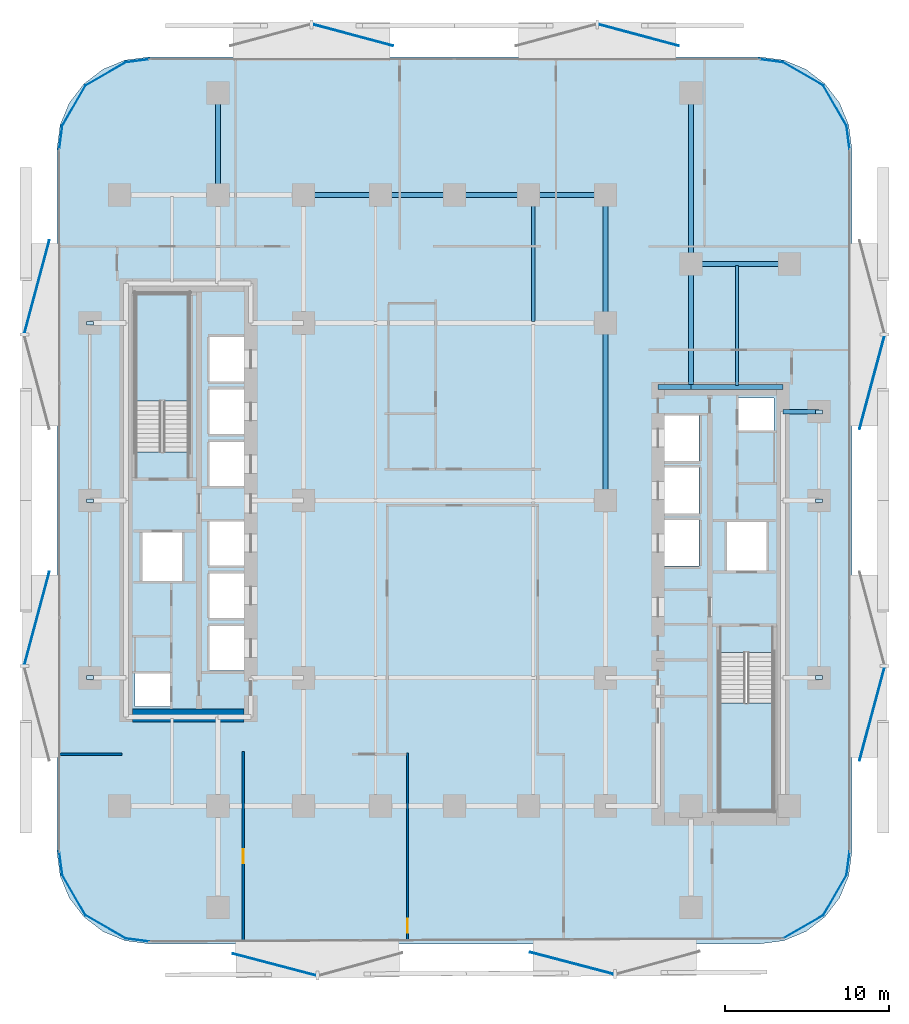
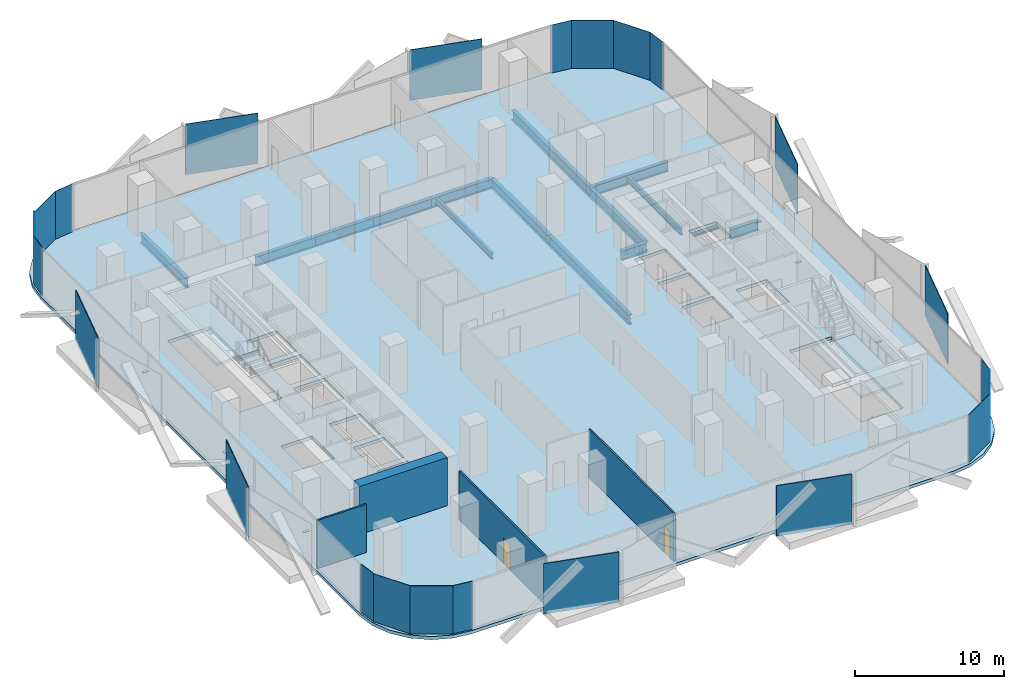
# One storey, part 2 of 15: 29 plates, 15 beams, 4 walls, 3 slabs, 2 doors, 2 openings, 2 elements without a shape of their own.
"""IFC4 building model written with IfcOpenShell, lengths in metres."""

from ifc_helpers import new_model, si_unit, direction, frame, frame_2d, origin, origin_2d, place, context, subcontext, project, spatial, polyline, rectangle, i_section, outline, extrude, material, layer, layer_set, material_profile, profile_set, type_object, element, fill, aggregate, save


model = new_model("IFC4")

# Units and contexts
model_context = context("Model", 3, precision=1e-05, world=origin(), true_north=direction((0.0, 1.0)))
body_context = subcontext(model_context, "Body", "Model", "MODEL_VIEW")
ifc_project = project(units=[si_unit("LENGTHUNIT", "METRE"), si_unit("AREAUNIT", "SQUARE_METRE"), si_unit("VOLUMEUNIT", "CUBIC_METRE"), si_unit("PLANEANGLEUNIT", "RADIAN"), si_unit("MASSUNIT", "GRAM", prefix="KILO")], contexts=[model_context])

# Site, building, storey
site_placement = place(None, origin())
site = spatial("IfcSite", under=ifc_project, at=site_placement, CompositionType="ELEMENT")
building_placement = place(site_placement, origin())
building = spatial("IfcBuilding", under=site, at=building_placement, Name="Khairoan Windgate Tower", CompositionType="ELEMENT")
storey_placement = place(building_placement, frame((0.0, 0.0, 76.39990234375)))
storey = spatial("IfcBuildingStorey", under=building, at=storey_placement, Name="L18", CompositionType="ELEMENT", Elevation=76.39990234375)

# Beams
ifc_material_1 = material(Name="Steel S355", Category="steel")
ifc_material_profile_1 = material_profile(ifc_material_1, i_section(OverallWidth=0.300048828125, OverallDepth=0.800048828125, WebThickness=0.013916015625, FlangeThickness=0.02587890625, FilletRadius=0.028076171875, at=origin_2d()))
ifc_profile_set_1 = profile_set([ifc_material_profile_1], Name="Steel S355")
beam_type_1 = type_object("IfcBeamType", Name="Beam B-G2 H800x300x14x26", PredefinedType="BEAM", material=ifc_profile_set_1)
beam_1_placement = place(storey_placement, frame((20.0, 5.39990234375, -0.659912109375), z_axis=(1.0, 0.0, 0.0), x_axis=(0.0, 1.0, 0.0)))
element("IfcBeam", 1, at=beam_1_placement, inside=storey, type_object=beam_type_1, Name="L18 E-W Primary Girder 19", PredefinedType="BEAM", context=body_context, shape_type="SweptSolid", body=[
    extrude(i_section(OverallWidth=0.300048828125, OverallDepth=0.800048828125, WebThickness=0.013916015625, FlangeThickness=0.02587890625, FilletRadius=0.028076171875, at=origin_2d()), origin(), (0.0, 0.0, 1.0), 2.199951171875),
])
beam_2_placement = place(storey_placement, frame((12.39990234375, 6.89990234375, -0.659912109375), z_axis=(1.0, 0.0, 0.0), x_axis=(0.0, 1.0, 0.0)))
element("IfcBeam", 2, at=beam_2_placement, inside=storey, type_object=beam_type_1, Name="L18 E-W Primary Girder 20", PredefinedType="BEAM", context=body_context, shape_type="SweptSolid", body=[
    extrude(i_section(OverallWidth=0.300048828125, OverallDepth=0.800048828125, WebThickness=0.013916015625, FlangeThickness=0.02587890625, FilletRadius=0.028076171875, at=origin_2d()), origin(), (0.0, 0.0, 1.0), 2.0),
])
beam_3_placement = place(storey_placement, frame((14.39990234375, 6.89990234375, -0.659912109375), z_axis=(1.0, 0.0, 0.0), x_axis=(0.0, 1.0, 0.0)))
element("IfcBeam", 3, at=beam_3_placement, inside=storey, type_object=beam_type_1, Name="L18 E-W Primary Girder 21", PredefinedType="BEAM", context=body_context, shape_type="SweptSolid", body=[
    extrude(i_section(OverallWidth=0.300048828125, OverallDepth=0.800048828125, WebThickness=0.013916015625, FlangeThickness=0.02587890625, FilletRadius=0.028076171875, at=origin_2d()), origin(), (0.0, 0.0, 1.0), 5.60009765625),
])
beam_4_placement = place(storey_placement, frame((14.39990234375, 14.39990234375, -0.659912109375), z_axis=(1.0, 0.0, 0.0), x_axis=(0.0, 1.0, 0.0)))
element("IfcBeam", 4, at=beam_4_placement, inside=storey, type_object=beam_type_1, Name="L18 E-W Primary Girder 27", PredefinedType="BEAM", context=body_context, shape_type="SweptSolid", body=[
    extrude(i_section(OverallWidth=0.300048828125, OverallDepth=0.800048828125, WebThickness=0.013916015625, FlangeThickness=0.02587890625, FilletRadius=0.028076171875, at=origin_2d()), origin(), (0.0, 0.0, 1.0), 6.0),
])
beam_5_placement = place(storey_placement, frame((-9.199951171875, 18.60009765625, -0.659912109375), z_axis=(1.0, 0.0, 0.0), x_axis=(0.0, 1.0, 0.0)))
element("IfcBeam", 5, at=beam_5_placement, inside=storey, type_object=beam_type_1, Name="L18 E-W Primary Girder 30", PredefinedType="BEAM", context=body_context, shape_type="SweptSolid", body=[
    extrude(i_section(OverallWidth=0.300048828125, OverallDepth=0.800048828125, WebThickness=0.013916015625, FlangeThickness=0.02587890625, FilletRadius=0.028076171875, at=origin_2d()), origin(), (0.0, 0.0, 1.0), 4.699951171875),
])
for number, where, z_axis, x_axis, name in (
    (6, (-4.5, 18.60009765625, -0.659912109375), (1.0, 0.0, 0.0), (0.0, 1.0, 0.0), "L18 E-W Primary Girder 31"),
    (7, (0.0, 18.60009765625, -0.659912109375), (1.0, 0.0, 0.0), (0.0, 1.0, 0.0), "L18 E-W Primary Girder 32"),
):
    element("IfcBeam", number, at=place(storey_placement, frame(where, z_axis=z_axis, x_axis=x_axis)), inside=storey, type_object=beam_type_1, Name=name, PredefinedType="BEAM", context=body_context, shape_type="SweptSolid", body=[
        extrude(i_section(OverallWidth=0.300048828125, OverallDepth=0.800048828125, WebThickness=0.013916015625, FlangeThickness=0.02587890625, FilletRadius=0.028076171875, at=origin_2d()), origin(), (0.0, 0.0, 1.0), 4.5),
    ])
beam_6_placement = place(storey_placement, frame((4.5, 18.60009765625, -0.659912109375), z_axis=(1.0, 0.0, 0.0), x_axis=(0.0, 1.0, 0.0)))
element("IfcBeam", 8, at=beam_6_placement, inside=storey, type_object=beam_type_1, Name="L18 E-W Primary Girder 33", PredefinedType="BEAM", context=body_context, shape_type="SweptSolid", body=[
    extrude(i_section(OverallWidth=0.300048828125, OverallDepth=0.800048828125, WebThickness=0.013916015625, FlangeThickness=0.02587890625, FilletRadius=0.028076171875, at=origin_2d()), origin(), (0.0, 0.0, 1.0), 4.699951171875),
])
beam_7_placement = place(storey_placement, frame((-14.39990234375, 18.60009765625, -0.659912109375), z_axis=(0.0, 1.0, 0.0), x_axis=(-1.0, 0.0, 0.0)))
element("IfcBeam", 9, at=beam_7_placement, inside=storey, type_object=beam_type_1, Name="L18 N-S Primary Beam 43", PredefinedType="BEAM", context=body_context, shape_type="SweptSolid", body=[
    extrude(i_section(OverallWidth=0.300048828125, OverallDepth=0.800048828125, WebThickness=0.013916015625, FlangeThickness=0.02587890625, FilletRadius=0.028076171875, at=origin_2d()), origin(), (0.0, 0.0, 1.0), 6.199951171875),
])
beam_8_placement = place(storey_placement, frame((9.199951171875, 0.0, -0.659912109375), z_axis=(0.0, 1.0, 0.0), x_axis=(-1.0, 0.0, 0.0)))
element("IfcBeam", 10, at=beam_8_placement, inside=storey, type_object=beam_type_1, Name="L18 N-S Primary Beam 52", PredefinedType="BEAM", context=body_context, shape_type="SweptSolid", body=[
    extrude(i_section(OverallWidth=0.300048828125, OverallDepth=0.800048828125, WebThickness=0.013916015625, FlangeThickness=0.02587890625, FilletRadius=0.028076171875, at=origin_2d()), origin(), (0.0, 0.0, 1.0), 10.800048828125),
])
beam_9_placement = place(storey_placement, frame((9.199951171875, 10.800048828125, -0.659912109375), z_axis=(0.0, 1.0, 0.0), x_axis=(-1.0, 0.0, 0.0)))
element("IfcBeam", 11, at=beam_9_placement, inside=storey, type_object=beam_type_1, Name="L18 N-S Primary Beam 53", PredefinedType="BEAM", context=body_context, shape_type="SweptSolid", body=[
    extrude(i_section(OverallWidth=0.300048828125, OverallDepth=0.800048828125, WebThickness=0.013916015625, FlangeThickness=0.02587890625, FilletRadius=0.028076171875, at=origin_2d()), origin(), (0.0, 0.0, 1.0), 7.800048828125),
])
beam_10_placement = place(storey_placement, frame((14.39990234375, 6.89990234375, -0.659912109375), z_axis=(0.0, 1.0, 0.0), x_axis=(-1.0, 0.0, 0.0)))
element("IfcBeam", 12, at=beam_10_placement, inside=storey, type_object=beam_type_1, Name="L18 N-S Primary Beam 56", PredefinedType="BEAM", context=body_context, shape_type="SweptSolid", body=[
    extrude(i_section(OverallWidth=0.300048828125, OverallDepth=0.800048828125, WebThickness=0.013916015625, FlangeThickness=0.02587890625, FilletRadius=0.028076171875, at=origin_2d()), origin(), (0.0, 0.0, 1.0), 7.5),
])
beam_11_placement = place(storey_placement, frame((14.39990234375, 14.39990234375, -0.659912109375), z_axis=(0.0, 1.0, 0.0), x_axis=(-1.0, 0.0, 0.0)))
element("IfcBeam", 13, at=beam_11_placement, inside=storey, type_object=beam_type_1, Name="L18 N-S Primary Beam 57", PredefinedType="BEAM", context=body_context, shape_type="SweptSolid", body=[
    extrude(i_section(OverallWidth=0.300048828125, OverallDepth=0.800048828125, WebThickness=0.013916015625, FlangeThickness=0.02587890625, FilletRadius=0.028076171875, at=origin_2d()), origin(), (0.0, 0.0, 1.0), 10.400146484375),
])
ifc_material_2 = material(Name="Steel S355", Category="steel")
ifc_material_profile_2 = material_profile(ifc_material_2, i_section(OverallWidth=0.199951171875, OverallDepth=0.5, WebThickness=0.010009765625, FlangeThickness=0.01611328125, FilletRadius=0.02001953125, at=origin_2d()))
ifc_profile_set_2 = profile_set([ifc_material_profile_2], Name="Steel S355")
beam_type_2 = type_object("IfcBeamType", Name="Beam J-S2 H500x200x10x16", PredefinedType="JOIST", material=ifc_profile_set_2)
beam_12_placement = place(storey_placement, frame((4.800048828125, 10.889892578125, -0.510009765625), z_axis=(0.0, 1.0, 0.0), x_axis=(-1.0, 0.0, 0.0)))
element("IfcBeam", 14, at=beam_12_placement, inside=storey, type_object=beam_type_2, Name="L18 Secondary Floor Joist 10", PredefinedType="JOIST", context=body_context, shape_type="SweptSolid", body=[
    extrude(i_section(OverallWidth=0.199951171875, OverallDepth=0.5, WebThickness=0.010009765625, FlangeThickness=0.01611328125, FilletRadius=0.02001953125, at=origin_2d()), origin(), (0.0, 0.0, 1.0), 7.6201171875),
])
beam_13_placement = place(storey_placement, frame((17.199951171875, 6.989990234375, -0.510009765625), z_axis=(0.0, 1.0, 0.0), x_axis=(-1.0, 0.0, 0.0)))
element("IfcBeam", 15, at=beam_13_placement, inside=storey, type_object=beam_type_2, Name="L18 Secondary Floor Joist 11", PredefinedType="JOIST", context=body_context, shape_type="SweptSolid", body=[
    extrude(i_section(OverallWidth=0.199951171875, OverallDepth=0.5, WebThickness=0.010009765625, FlangeThickness=0.01611328125, FilletRadius=0.02001953125, at=origin_2d()), origin(), (0.0, 0.0, 1.0), 7.320068359375),
])

# Plates
ifc_material_3 = material(Name="Low-E Solar Control Laminated Glass", Category="glass")
ifc_layer_1 = layer(ifc_material_3, 0.030029296875, Name="Low-E Solar Control Laminated Glass")
ifc_layer_set_1 = layer_set([ifc_layer_1], Name="Low-E Solar Control Laminated Glass")
plate_type_1 = type_object("IfcPlateType", Name="Aerodynamic Wind-Corner Curved Glazing Plate", PredefinedType="USERDEFINED", material=ifc_layer_set_1)
plate_placement = place(storey_placement, frame((-19.302001953125, -26.766357421875, 0.000244140625), z_axis=(0.0, 0.0, 1.0), x_axis=(-0.991444861374, 0.13052619222, 0.0)))
element("IfcPlate", 16, at=plate_placement, inside=storey, type_object=plate_type_1, Name="L18 Aerodynamic Wind-Corner Curved Glazing Panel 2", ObjectType="GLAZING PANEL", PredefinedType="USERDEFINED", context=body_context, shape_type="SweptSolid", body=[
    extrude(rectangle(XDim=1.474365234375, YDim=0.028076171875, at=origin_2d()), origin(), (0.0, 0.0, 1.0), 3.93994140625),
])
for number, where, z_axis, x_axis, name in (
    (17, (-21.236328125, -25.96630859375, 0.000244140625), (0.0, 0.0, 1.0), (-0.866025403784, 0.5, 0.0), "L18 Aerodynamic Wind-Corner Curved Glazing Panel 3"),
    (18, (-23.16650390625, -24.03662109375, 0.000244140625), (0.0, 0.0, 1.0), (-0.5, 0.866025403784, 0.0), "L18 Aerodynamic Wind-Corner Curved Glazing Panel 4"),
):
    element("IfcPlate", number, at=place(storey_placement, frame(where, z_axis=z_axis, x_axis=x_axis)), inside=storey, type_object=plate_type_1, Name=name, ObjectType="GLAZING PANEL", PredefinedType="USERDEFINED", context=body_context, shape_type="SweptSolid", body=[
        extrude(rectangle(XDim=2.86572265625, YDim=0.028076171875, at=origin_2d()), origin(), (0.0, 0.0, 1.0), 3.93994140625),
    ])
for number, where, z_axis, x_axis, name in (
    (19, (-23.96630859375, -22.101806640625, 0.000244140625), (0.0, 0.0, 1.0), (-0.13052619222, 0.991444861374, 0.0), "L18 Aerodynamic Wind-Corner Curved Glazing Panel 5"),
    (20, (-23.96630859375, 22.101806640625, 0.000244140625), (0.0, 0.0, 1.0), (0.13052619222, 0.991444861374, 0.0), "L18 Aerodynamic Wind-Corner Curved Glazing Panel 7"),
):
    element("IfcPlate", number, at=place(storey_placement, frame(where, z_axis=z_axis, x_axis=x_axis)), inside=storey, type_object=plate_type_1, Name=name, ObjectType="GLAZING PANEL", PredefinedType="USERDEFINED", context=body_context, shape_type="SweptSolid", body=[
        extrude(rectangle(XDim=1.474365234375, YDim=0.028076171875, at=origin_2d()), origin(), (0.0, 0.0, 1.0), 3.93994140625),
    ])
for number, where, z_axis, x_axis, name in (
    (21, (-23.16650390625, 24.03662109375, 0.000244140625), (0.0, 0.0, 1.0), (0.5, 0.866025403784, 0.0), "L18 Aerodynamic Wind-Corner Curved Glazing Panel 8"),
    (22, (-21.236328125, 25.96630859375, 0.000244140625), (0.0, 0.0, 1.0), (0.866025403784, 0.5, 0.0), "L18 Aerodynamic Wind-Corner Curved Glazing Panel 9"),
):
    element("IfcPlate", number, at=place(storey_placement, frame(where, z_axis=z_axis, x_axis=x_axis)), inside=storey, type_object=plate_type_1, Name=name, ObjectType="GLAZING PANEL", PredefinedType="USERDEFINED", context=body_context, shape_type="SweptSolid", body=[
        extrude(rectangle(XDim=2.86572265625, YDim=0.028076171875, at=origin_2d()), origin(), (0.0, 0.0, 1.0), 3.93994140625),
    ])
for number, where, z_axis, x_axis, name in (
    (23, (-19.302001953125, 26.766357421875, 0.000244140625), (0.0, 0.0, 1.0), (0.991444861374, 0.13052619222, 0.0), "L18 Aerodynamic Wind-Corner Curved Glazing Panel 10"),
    (24, (19.302001953125, 26.766357421875, 0.000244140625), (0.0, 0.0, 1.0), (0.991444861374, -0.13052619222, 0.0), "L18 Aerodynamic Wind-Corner Curved Glazing Panel 12"),
):
    element("IfcPlate", number, at=place(storey_placement, frame(where, z_axis=z_axis, x_axis=x_axis)), inside=storey, type_object=plate_type_1, Name=name, ObjectType="GLAZING PANEL", PredefinedType="USERDEFINED", context=body_context, shape_type="SweptSolid", body=[
        extrude(rectangle(XDim=1.474365234375, YDim=0.028076171875, at=origin_2d()), origin(), (0.0, 0.0, 1.0), 3.93994140625),
    ])
for number, where, z_axis, x_axis, name in (
    (25, (21.236328125, 25.96630859375, 0.000244140625), (0.0, 0.0, 1.0), (0.866025403784, -0.5, 0.0), "L18 Aerodynamic Wind-Corner Curved Glazing Panel 13"),
    (26, (23.16650390625, 24.03662109375, 0.000244140625), (0.0, 0.0, 1.0), (0.5, -0.866025403784, 0.0), "L18 Aerodynamic Wind-Corner Curved Glazing Panel 14"),
):
    element("IfcPlate", number, at=place(storey_placement, frame(where, z_axis=z_axis, x_axis=x_axis)), inside=storey, type_object=plate_type_1, Name=name, ObjectType="GLAZING PANEL", PredefinedType="USERDEFINED", context=body_context, shape_type="SweptSolid", body=[
        extrude(rectangle(XDim=2.86572265625, YDim=0.028076171875, at=origin_2d()), origin(), (0.0, 0.0, 1.0), 3.93994140625),
    ])
for number, where, z_axis, x_axis, name in (
    (27, (23.96630859375, 22.101806640625, 0.000244140625), (0.0, 0.0, 1.0), (0.13052619222, -0.991444861374, 0.0), "L18 Aerodynamic Wind-Corner Curved Glazing Panel 15"),
    (28, (23.96630859375, -22.101806640625, 0.000244140625), (0.0, 0.0, 1.0), (-0.13052619222, -0.991444861374, 0.0), "L18 Aerodynamic Wind-Corner Curved Glazing Panel 17"),
):
    element("IfcPlate", number, at=place(storey_placement, frame(where, z_axis=z_axis, x_axis=x_axis)), inside=storey, type_object=plate_type_1, Name=name, ObjectType="GLAZING PANEL", PredefinedType="USERDEFINED", context=body_context, shape_type="SweptSolid", body=[
        extrude(rectangle(XDim=1.474365234375, YDim=0.028076171875, at=origin_2d()), origin(), (0.0, 0.0, 1.0), 3.93994140625),
    ])
for number, where, z_axis, x_axis, name in (
    (29, (23.16650390625, -24.03662109375, 0.000244140625), (0.0, 0.0, 1.0), (-0.5, -0.866025403784, 0.0), "L18 Aerodynamic Wind-Corner Curved Glazing Panel 18"),
    (30, (21.236328125, -25.96630859375, 0.000244140625), (0.0, 0.0, 1.0), (-0.866025403784, -0.5, 0.0), "L18 Aerodynamic Wind-Corner Curved Glazing Panel 19"),
):
    element("IfcPlate", number, at=place(storey_placement, frame(where, z_axis=z_axis, x_axis=x_axis)), inside=storey, type_object=plate_type_1, Name=name, ObjectType="GLAZING PANEL", PredefinedType="USERDEFINED", context=body_context, shape_type="SweptSolid", body=[
        extrude(rectangle(XDim=2.86572265625, YDim=0.028076171875, at=origin_2d()), origin(), (0.0, 0.0, 1.0), 3.93994140625),
    ])
ifc_material_4 = material(Name="Steel S355", Category="steel")
ifc_layer_2 = layer(ifc_material_4, 0.0400390625, Name="Steel S355")
ifc_layer_set_2 = layer_set([ifc_layer_2], Name="Steel S355")
plate_type_2 = type_object("IfcPlateType", Name="Hollow Section End-Cap Plate PL-CAP40", PredefinedType="SHEET", material=ifc_layer_set_2)
for number, where, z_axis, x_axis, name in (
    (31, (-22.199951171875, -10.784912109375, -0.47998046875), (0.0, 0.0, 1.0), (0.0, 1.0, 0.0), "BM-SP-L18-034 steel end-cap plate 1"),
    (32, (-22.199951171875, -0.014892578125, -0.47998046875), (0.0, 0.0, 1.0), (0.0, 1.0, 0.0), "BM-SP-L18-034 steel end-cap plate 2"),
    (33, (-22.199951171875, 10.784912109375, -0.47998046875), (0.0, 0.0, 1.0), (0.0, 1.0, 0.0), "BM-SP-L18-035 steel end-cap plate 2"),
    (34, (22.199951171875, -10.784912109375, -0.47998046875), (0.0, 0.0, 1.0), (0.0, 1.0, 0.0), "BM-SP-L18-061 steel end-cap plate 1"),
    (35, (22.199951171875, -0.014892578125, -0.47998046875), (0.0, 0.0, 1.0), (0.0, 1.0, 0.0), "BM-SP-L18-061 steel end-cap plate 2"),
    (36, (22.199951171875, 5.385009765625, -0.47998046875), (0.0, 0.0, 1.0), (0.0, 1.0, 0.0), "BM-SP-L18-062 steel end-cap plate 2"),
):
    element("IfcPlate", number, at=place(storey_placement, frame(where, z_axis=z_axis, x_axis=x_axis)), inside=storey, type_object=plate_type_2, Name=name, PredefinedType="SHEET", context=body_context, shape_type="SweptSolid", body=[
        extrude(rectangle(XDim=0.219970703125, YDim=0.419921875, at=origin_2d()), origin(), (0.0, 0.0, 1.0), 0.0400390625),
    ])
ifc_material_5 = material(Name="Anodised Bronze Aluminium 6063-T6", Category="aluminium")
ifc_layer_3 = layer(ifc_material_5, 0.054931640625, Name="Anodised Bronze Aluminium 6063-T6")
ifc_layer_set_3 = layer_set([ifc_layer_3], Name="Anodised Bronze Aluminium 6063-T6")
plate_type_3 = type_object("IfcPlateType", Name="Perforated Bronze Solar Screen Panel BSP-1", PredefinedType="USERDEFINED", material=ifc_layer_set_3)
for number, where, z_axis, x_axis, name in (
    (37, (7.143310546875, -28.17578125, -0.099609375), (0.0, 0.0, 1.0), (-0.967179115616, 0.254095569259, 0.0), "L18 Perforated Bronze Solar Screen Panel 97R"),
    (38, (-10.95849609375, -28.263671875, -0.099609375), (0.0, 0.0, 1.0), (-0.967179115616, 0.254095569259, 0.0), "L18 Perforated Bronze Solar Screen Panel 98R"),
):
    element("IfcPlate", number, at=place(storey_placement, frame(where, z_axis=z_axis, x_axis=x_axis)), inside=storey, type_object=plate_type_3, Name=name, ObjectType="SCREEN", PredefinedType="USERDEFINED", context=body_context, shape_type="SweptSolid", body=[
        extrude(rectangle(XDim=5.25, YDim=0.054931640625, at=origin_2d()), origin(), (0.0, 0.0, 1.0), 4.139892578125),
    ])
for number, where, z_axis, x_axis, name in (
    (39, (-25.42236328125, -7.177734375, -0.099609375), (0.0, 0.0, 1.0), (0.258819045103, 0.965925826289, 0.0), "L18 Perforated Bronze Solar Screen Panel 99R"),
    (40, (-25.42236328125, 13.01318359375, -0.099609375), (0.0, 0.0, 1.0), (0.258819045103, 0.965925826289, 0.0), "L18 Perforated Bronze Solar Screen Panel 100R"),
):
    element("IfcPlate", number, at=place(storey_placement, frame(where, z_axis=z_axis, x_axis=x_axis)), inside=storey, type_object=plate_type_3, Name=name, ObjectType="SCREEN", PredefinedType="USERDEFINED", context=body_context, shape_type="SweptSolid", body=[
        extrude(rectangle(XDim=5.85498046875, YDim=0.054931640625, at=origin_2d()), origin(), (0.0, 0.0, 1.0), 4.139892578125),
    ])
for number, where, z_axis, x_axis, name in (
    (41, (-6.169921875, 28.327392578125, -0.099609375), (0.0, 0.0, 1.0), (0.965925826289, -0.258819045103, 0.0), "L18 Perforated Bronze Solar Screen Panel 101R"),
    (42, (11.220947265625, 28.327392578125, -0.099609375), (0.0, 0.0, 1.0), (0.965925826289, -0.258819045103, 0.0), "L18 Perforated Bronze Solar Screen Panel 102R"),
):
    element("IfcPlate", number, at=place(storey_placement, frame(where, z_axis=z_axis, x_axis=x_axis)), inside=storey, type_object=plate_type_3, Name=name, ObjectType="SCREEN", PredefinedType="USERDEFINED", context=body_context, shape_type="SweptSolid", body=[
        extrude(rectangle(XDim=5.04296875, YDim=0.054931640625, at=origin_2d()), origin(), (0.0, 0.0, 1.0), 4.139892578125),
    ])
for number, where, z_axis, x_axis, name in (
    (43, (25.42236328125, 7.177734375, -0.099609375), (0.0, 0.0, 1.0), (-0.258819045103, -0.965925826289, 0.0), "L18 Perforated Bronze Solar Screen Panel 103R"),
    (44, (25.42236328125, -13.01318359375, -0.099609375), (0.0, 0.0, 1.0), (-0.258819045103, -0.965925826289, 0.0), "L18 Perforated Bronze Solar Screen Panel 104R"),
):
    element("IfcPlate", number, at=place(storey_placement, frame(where, z_axis=z_axis, x_axis=x_axis)), inside=storey, type_object=plate_type_3, Name=name, ObjectType="SCREEN", PredefinedType="USERDEFINED", context=body_context, shape_type="SweptSolid", body=[
        extrude(rectangle(XDim=5.85498046875, YDim=0.054931640625, at=origin_2d()), origin(), (0.0, 0.0, 1.0), 4.139892578125),
    ])

# Stair, slab
ifc_material_6 = material(Name="Concrete C40/50", Category="concrete")
stair_type = type_object("IfcStairType", Name="Tower Core Dog-Leg Stair ST-T1 1560mm", PredefinedType="HALF_TURN_STAIR", material=ifc_material_6)
stair_1_placement = place(storey_placement, origin())
stair_1 = element("IfcStair", 45, at=stair_1_placement, inside=storey, type_object=stair_type, Name="L18 Stair ST1", PredefinedType="HALF_TURN_STAIR")
ifc_material_7 = material(Name="Concrete C40/50", Category="concrete")
ifc_layer_4 = layer(ifc_material_7, 0.199951171875, Name="Concrete C40/50")
ifc_layer_set_4 = layer_set([ifc_layer_4], Name="Concrete C40/50")
slab_type_1 = type_object("IfcSlabType", Name="Reinforced Concrete Stair Landing Slab STL-200", PredefinedType="LANDING", material=ifc_layer_set_4)
slab_1_placement = place(storey_placement, frame((0.0, 0.0, 1.900146484375)))
slab_1 = element("IfcSlab", 46, at=slab_1_placement, type_object=slab_type_1, Name="ST1 landing 1", PredefinedType="LANDING", context=body_context, shape_type="SweptSolid", body=[
    extrude(outline(polyline([(16.14990234375, -12.340087890625), (16.14990234375, -18.89990234375), (19.419921875, -18.89990234375), (19.419921875, -12.340087890625), (16.14990234375, -12.340087890625)])), origin(), (0.0, 0.0, 1.0), 0.199951171875),
])
aggregate(stair_1, [slab_1])

stair_2_placement = place(storey_placement, origin())
stair_2 = element("IfcStair", 47, at=stair_2_placement, inside=storey, type_object=stair_type, Name="L18 Stair ST2", PredefinedType="HALF_TURN_STAIR")
slab_2_placement = place(storey_placement, frame((0.0, 0.0, 1.900146484375)))
slab_2 = element("IfcSlab", 48, at=slab_2_placement, type_object=slab_type_1, Name="ST2 landing 1", PredefinedType="LANDING", context=body_context, shape_type="SweptSolid", body=[
    extrude(outline(polyline([(-16.14990234375, 6.0400390625), (-16.14990234375, 12.60009765625), (-19.419921875, 12.60009765625), (-19.419921875, 6.0400390625), (-16.14990234375, 6.0400390625)])), origin(), (0.0, 0.0, 1.0), 0.199951171875),
])
aggregate(stair_2, [slab_2])

# Slab
ifc_material_8 = material(Name="Concrete C40/50", Category="concrete")
ifc_layer_5 = layer(ifc_material_8, 0.260009765625, Name="Concrete C40/50")
ifc_layer_set_5 = layer_set([ifc_layer_5], Name="Concrete C40/50")
slab_type_2 = type_object("IfcSlabType", Name="Tower Composite Floor Slab FS2 260mm", PredefinedType="FLOOR", material=ifc_layer_set_5)
slab_3_placement = place(storey_placement, frame((0.0, 0.0, -0.260009765625)))
element("IfcSlab", 49, at=slab_3_placement, inside=storey, type_object=slab_type_2, Name="L18 Structural Floor Slab", PredefinedType="FLOOR", context=body_context, shape_type="SweptSolid", body=[
    extrude(outline(polyline([(18.60009765625, -27.0), (20.04931640625, -26.80908203125), (21.39990234375, -26.249755859375), (22.559814453125, -25.35986328125), (23.44970703125, -24.199951171875), (24.00927734375, -22.849365234375), (24.199951171875, -21.39990234375), (24.199951171875, 21.39990234375), (24.00927734375, 22.849365234375), (23.44970703125, 24.199951171875), (22.559814453125, 25.35986328125), (21.39990234375, 26.249755859375), (20.04931640625, 26.80908203125), (18.60009765625, 27.0), (-18.60009765625, 27.0), (-20.04931640625, 26.80908203125), (-21.39990234375, 26.249755859375), (-22.559814453125, 25.35986328125), (-23.44970703125, 24.199951171875), (-24.00927734375, 22.849365234375), (-24.199951171875, 21.39990234375), (-24.199951171875, -21.39990234375), (-24.00927734375, -22.849365234375), (-23.44970703125, -24.199951171875), (-22.559814453125, -25.35986328125), (-21.39990234375, -26.249755859375), (-20.04931640625, -26.80908203125), (-18.60009765625, -27.0), (18.60009765625, -27.0)]), holes=[polyline([(16.14990234375, -9.260009765625), (16.14990234375, -18.89990234375), (19.419921875, -18.89990234375), (19.419921875, -9.260009765625), (16.14990234375, -9.260009765625)]), polyline([(-16.14990234375, 2.9599609375), (-16.14990234375, 12.60009765625), (-19.419921875, 12.60009765625), (-19.419921875, 2.9599609375), (-16.14990234375, 2.9599609375)]), polyline([(-14.89990234375, 7.25), (-12.5, 7.25), (-12.5, 9.949951171875), (-14.89990234375, 9.949951171875), (-14.89990234375, 7.25)]), polyline([(-14.89990234375, 4.050048828125), (-12.5, 4.050048828125), (-12.5, 6.75), (-14.89990234375, 6.75), (-14.89990234375, 4.050048828125)]), polyline([(-14.89990234375, 0.85009765625), (-12.5, 0.85009765625), (-12.5, 3.550048828125), (-14.89990234375, 3.550048828125), (-14.89990234375, 0.85009765625)]), polyline([(-14.89990234375, -3.949951171875), (-12.5, -3.949951171875), (-12.5, -1.25), (-14.89990234375, -1.25), (-14.89990234375, -3.949951171875)]), polyline([(-14.89990234375, -7.14990234375), (-12.5, -7.14990234375), (-12.5, -4.449951171875), (-14.89990234375, -4.449951171875), (-14.89990234375, -7.14990234375)]), polyline([(-14.89990234375, -10.35009765625), (-12.5, -10.35009765625), (-12.5, -7.64990234375), (-14.89990234375, -7.64990234375), (-14.89990234375, -10.35009765625)]), polyline([(12.5, 2.39990234375), (14.89990234375, 2.39990234375), (14.89990234375, 5.199951171875), (12.5, 5.199951171875), (12.5, 2.39990234375)]), polyline([(12.5, -0.800048828125), (14.89990234375, -0.800048828125), (14.89990234375, 2.0), (12.5, 2.0), (12.5, -0.800048828125)]), polyline([(12.5, -4.0), (14.89990234375, -4.0), (14.89990234375, -1.199951171875), (12.5, -1.199951171875), (12.5, -4.0)]), polyline([(16.60009765625, -4.300048828125), (19.0, -4.300048828125), (19.0, -1.300048828125), (16.60009765625, -1.300048828125), (16.60009765625, -4.300048828125)]), polyline([(-19.0, -4.89990234375), (-16.60009765625, -4.89990234375), (-16.60009765625, -1.89990234375), (-19.0, -1.89990234375), (-19.0, -4.89990234375)]), polyline([(-19.449951171875, -12.550048828125), (-17.31005859375, -12.550048828125), (-17.31005859375, -10.550048828125), (-19.449951171875, -10.550048828125), (-19.449951171875, -12.550048828125)]), polyline([(17.31005859375, 4.25), (19.449951171875, 4.25), (19.449951171875, 6.25), (17.31005859375, 6.25), (17.31005859375, 4.25)])]), origin(), (0.0, 0.0, 1.0), 0.260009765625),
])

# Wall
ifc_material_9 = material(Name="Acoustic Fire-Rated Gypsum Partition", Category="gypsum")
ifc_layer_6 = layer(ifc_material_9, 0.139892578125, Name="Acoustic Fire-Rated Gypsum Partition")
ifc_layer_set_6 = layer_set([ifc_layer_6], Name="Acoustic Fire-Rated Gypsum Partition")
wall_type_1 = type_object("IfcWallType", Name="Inter-Tenancy Compartment Wall", PredefinedType="PARTITIONING", material=ifc_layer_set_6)
wall_1_placement = place(storey_placement, frame((-24.054931640625, -15.4599609375, 0.0), z_axis=(0.0, 0.0, 1.0), x_axis=(1.0, 0.0, 0.0)))
element("IfcWall", 50, at=wall_1_placement, inside=storey, type_object=wall_type_1, Name="L18 Interior Partition 027", PredefinedType="PARTITIONING", context=body_context, shape_type="SweptSolid", body=[
    extrude(rectangle(XDim=3.81494140625, YDim=0.139892578125, at=frame_2d((1.907470703125, 0.0))), origin(), (0.0, 0.0, 1.0), 3.940185546875),
])

# Wall, opening, door
wall_2_placement = place(storey_placement, frame((-12.85205078125, -26.8271484375, 0.0), z_axis=(0.0, 0.0, 1.0), x_axis=(0.0, 1.0, 0.0)))
wall_2 = element("IfcWall", 51, at=wall_2_placement, inside=storey, type_object=wall_type_1, Name="L18 Interior Partition 036", PredefinedType="PARTITIONING", context=body_context, shape_type="SweptSolid", body=[
    extrude(rectangle(XDim=11.547119140625, YDim=0.139892578125, at=frame_2d((5.7734375, 0.0))), origin(), (0.0, 0.0, 1.0), 3.940185546875),
])
opening_1_placement = place(wall_2_placement, frame((4.737548828125, 0.0, 0.0)))
opening_1 = element("IfcOpeningElement", 52, at=opening_1_placement, cuts=wall_2, Name="Opening FD-SRV", PredefinedType="OPENING", context=body_context, shape_type="SweptSolid", body=[
    extrude(rectangle(XDim=0.85009765625, YDim=2.10009765625, at=frame_2d((0.425048828125, 1.050048828125))), frame((0.0, 0.079833984375, 0.0), z_axis=(0.0, -1.0, 0.0), x_axis=(1.0, 0.0, 0.0)), (0.0, 0.0, 1.0), 0.159912109375),
])
ifc_material_10 = material(Name="Steel S355", Category="steel")
door_type = type_object("IfcDoorType", Name="Core Service and Riser Fire Door FD-SRV 850x2100", OperationType="NOTDEFINED", PredefinedType="DOOR", material=ifc_material_10)
door_1_placement = place(opening_1_placement, origin())
door_1 = element("IfcDoor", 53, at=door_1_placement, inside=storey, type_object=door_type, Name="L18 L18-46-L18-47 Door", OperationType="SINGLE_SWING_LEFT", OverallHeight=2.10009765625, OverallWidth=0.85009765625, PredefinedType="DOOR", context=body_context, shape_type="SweptSolid", body=[
    extrude(rectangle(XDim=0.85009765625, YDim=2.10009765625, at=frame_2d((0.425048828125, 1.050048828125))), frame((0.0, 0.02490234375, 0.0), z_axis=(0.0, -1.0, 0.0), x_axis=(1.0, 0.0, 0.0)), (0.0, 0.0, 1.0), 0.050048828125),
])
fill(opening_1, door_1)

wall_3_placement = place(storey_placement, frame((-2.85595703125, -26.77880859375, 0.0), z_axis=(0.0, 0.0, 1.0), x_axis=(0.0, 1.0, 0.0)))
wall_3 = element("IfcWall", 54, at=wall_3_placement, inside=storey, type_object=wall_type_1, Name="L18 Interior Partition 037", PredefinedType="PARTITIONING", context=body_context, shape_type="SweptSolid", body=[
    extrude(rectangle(XDim=11.393798828125, YDim=0.139892578125, at=frame_2d((5.69677734375, 0.0))), origin(), (0.0, 0.0, 1.0), 3.940185546875),
])
opening_2_placement = place(wall_3_placement, frame((0.4599609375, 0.0, 0.0)))
opening_2 = element("IfcOpeningElement", 55, at=opening_2_placement, cuts=wall_3, Name="Opening FD-SRV", PredefinedType="OPENING", context=body_context, shape_type="SweptSolid", body=[
    extrude(rectangle(XDim=0.85009765625, YDim=2.10009765625, at=frame_2d((0.425048828125, 1.050048828125))), frame((0.0, 0.079833984375, 0.0), z_axis=(0.0, -1.0, 0.0), x_axis=(1.0, 0.0, 0.0)), (0.0, 0.0, 1.0), 0.159912109375),
])
door_2_placement = place(opening_2_placement, origin())
door_2 = element("IfcDoor", 56, at=door_2_placement, inside=storey, type_object=door_type, Name="L18 L18-47-L18-48 Door", OperationType="SINGLE_SWING_RIGHT", OverallHeight=2.10009765625, OverallWidth=0.85009765625, PredefinedType="DOOR", context=body_context, shape_type="SweptSolid", body=[
    extrude(rectangle(XDim=0.85009765625, YDim=2.10009765625, at=frame_2d((0.425048828125, 1.050048828125))), frame((0.0, 0.02490234375, 0.0), z_axis=(0.0, -1.0, 0.0), x_axis=(1.0, 0.0, 0.0)), (0.0, 0.0, 1.0), 0.050048828125),
])
fill(opening_2, door_2)

# Wall
ifc_material_11 = material(Name="Concrete C70/85", Category="concrete")
ifc_layer_7 = layer(ifc_material_11, 0.800048828125, Name="Concrete C70/85")
ifc_layer_set_7 = layer_set([ifc_layer_7], Name="Concrete C70/85")
wall_type_2 = type_object("IfcWallType", Name="Shear Wall CW-W1 800mm", PredefinedType="SHEAR", material=ifc_layer_set_7)
wall_4_placement = place(storey_placement, frame((-19.60009765625, -13.10009765625, 0.0), z_axis=(0.0, 0.0, 1.0), x_axis=(1.0, 0.0, 0.0)))
element("IfcWall", 57, at=wall_4_placement, inside=storey, type_object=wall_type_2, Name="W Core South Shear Wall L18", PredefinedType="SHEAR", context=body_context, shape_type="SweptSolid", body=[
    extrude(rectangle(XDim=6.800048828125, YDim=0.800048828125, at=frame_2d((3.39990234375, 0.0))), origin(), (0.0, 0.0, 1.0), 3.940185546875),
])

save(model, "model.ifc")
